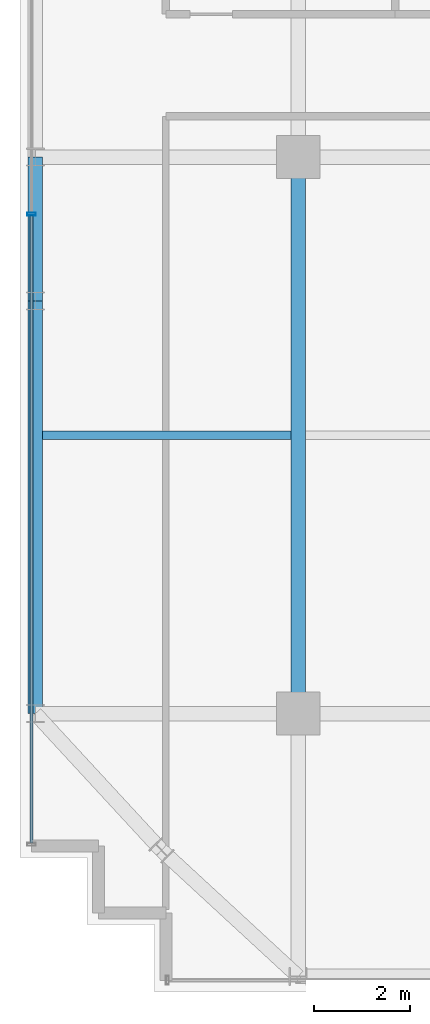
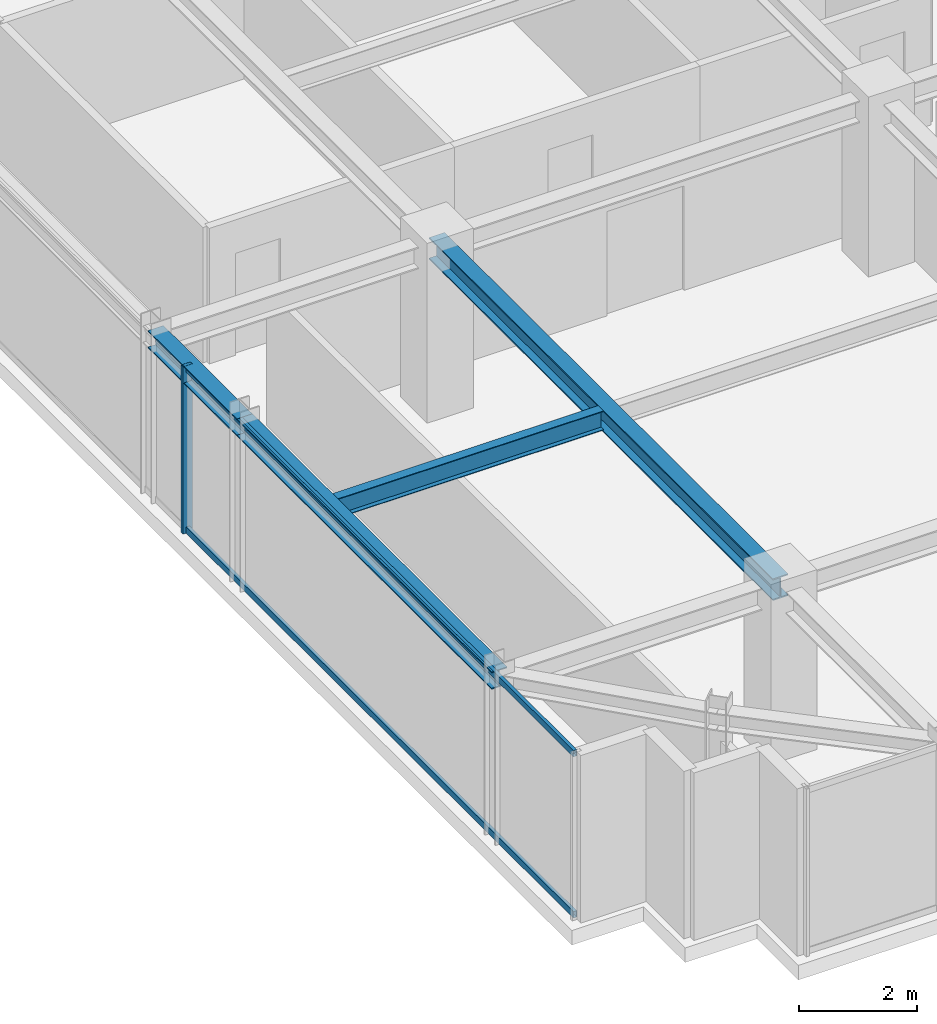
# One storey, part 6 of 31: 4 beams, 3 members, 1 element without a shape of its own.
"""IFC4 building model written with IfcOpenShell, lengths in metres."""

from ifc_helpers import new_model, si_unit, direction, frame, origin, origin_2d, place, context, subcontext, project, spatial, hollow_rectangle, i_section, extrude, source, transform, mapped, material, material_profile, profile_set, type_object, element, aggregate, save


model = new_model("IFC4")

# Units and contexts
model_context = context("Model", 3, precision=1e-05, world=origin(), true_north=direction((0.0, 1.0)))
body_context = subcontext(model_context, "Body", "Model", "MODEL_VIEW")
ifc_project = project(units=[si_unit("LENGTHUNIT", "METRE"), si_unit("AREAUNIT", "SQUARE_METRE"), si_unit("VOLUMEUNIT", "CUBIC_METRE"), si_unit("PLANEANGLEUNIT", "RADIAN"), si_unit("MASSUNIT", "GRAM", prefix="KILO")], contexts=[model_context])

# Site, building, storey
site_placement = place(None, origin())
site = spatial("IfcSite", under=ifc_project, at=site_placement, CompositionType="ELEMENT")
building_placement = place(site_placement, origin())
building = spatial("IfcBuilding", under=site, at=building_placement, Name="Nahalor Promenade Grand Hotel", CompositionType="ELEMENT")
storey_placement = place(building_placement, frame((0.0, 0.0, 281.300048828125)))
storey = spatial("IfcBuildingStorey", under=building, at=storey_placement, Name="L72", CompositionType="ELEMENT", Elevation=281.300048828125)

# Beams
ifc_material_1 = material(Name="Steel S355JR", Category="steel")
ifc_material_profile_1 = material_profile(ifc_material_1, i_section(OverallWidth=0.3, OverallDepth=0.45, WebThickness=0.014, FlangeThickness=0.026, at=origin_2d()), Name="HEB 450")
ifc_profile_set_1 = profile_set([ifc_material_profile_1], Name="Steel S355JR")
beam_type_1 = type_object("IfcBeamType", Name="Beam-Girder-HEB450", PredefinedType="BEAM", material=ifc_profile_set_1)
shared_shape_1 = source(origin(), body_context, "Body", "SweptSolid", [
    extrude(i_section(OverallWidth=0.3, OverallDepth=0.45, WebThickness=0.014, FlangeThickness=0.026, at=origin_2d()), origin(), (0.0, 0.0, 1.0), 11.60009765625),
])
beam_1_placement = place(storey_placement, frame((-17.0, -17.0, 3.224853515625), z_axis=(0.0, 1.0, 0.0), x_axis=(-1.0, 0.0, 0.0)))
element("IfcBeam", 1, at=beam_1_placement, inside=storey, type_object=beam_type_1, Name="BM-L72-GY-0-1", PredefinedType="BEAM", context=body_context, shape_type="MappedRepresentation", body=[
    mapped(shared_shape_1, transform((0.0, 0.0, 0.0), scale=1.0)),
])
ifc_material_profile_2 = material_profile(ifc_material_1, i_section(OverallWidth=0.18, OverallDepth=0.4, WebThickness=0.0086, FlangeThickness=0.0135, at=origin_2d()), Name="IPE 400")
ifc_profile_set_2 = profile_set([ifc_material_profile_2], Name="Steel S355JR")
beam_type_2 = type_object("IfcBeamType", Name="Beam-Joist-IPE400", PredefinedType="JOIST", material=ifc_profile_set_2)
shared_shape_2 = source(origin(), body_context, "Body", "SweptSolid", [
    extrude(i_section(OverallWidth=0.18, OverallDepth=0.4, WebThickness=0.0086, FlangeThickness=0.0135, at=origin_2d()), origin(), (0.0, 0.0, 1.0), 5.18017578125),
])
beam_2_placement = place(storey_placement, frame((-22.330078125, -11.199951171875, 3.25), z_axis=(1.0, 0.0, 0.0), x_axis=(0.0, 1.0, 0.0)))
element("IfcBeam", 2, at=beam_2_placement, inside=storey, type_object=beam_type_2, Name="BM-L72-JSW-0-0", PredefinedType="JOIST", context=body_context, shape_type="MappedRepresentation", body=[
    mapped(shared_shape_2, transform((0.0, 0.0, 0.0), scale=1.0)),
])
ifc_material_profile_3 = material_profile(ifc_material_1, i_section(OverallWidth=0.3, OverallDepth=0.36, WebThickness=0.0125, FlangeThickness=0.0225, at=origin_2d()), Name="HEB 360")
ifc_profile_set_3 = profile_set([ifc_material_profile_3], Name="Steel S355JR")
beam_type_3 = type_object("IfcBeamType", Name="Beam-Spandrel-HEB360", PredefinedType="SPANDREL", material=ifc_profile_set_3)
shared_shape_3 = source(origin(), body_context, "Body", "SweptSolid", [
    extrude(i_section(OverallWidth=0.3, OverallDepth=0.36, WebThickness=0.0125, FlangeThickness=0.0225, at=origin_2d()), origin(), (0.0, 0.0, 1.0), 8.60009765625),
])
beam_3_placement = place(storey_placement, frame((-22.47998046875, -17.0, 3.27001953125), z_axis=(0.0, 1.0, 0.0), x_axis=(-1.0, 0.0, 0.0)))
element("IfcBeam", 3, at=beam_3_placement, inside=storey, type_object=beam_type_3, Name="BM-L72-SP-W-0", PredefinedType="SPANDREL", context=body_context, shape_type="MappedRepresentation", body=[
    mapped(shared_shape_3, transform((0.0, 0.0, 0.0), scale=1.0)),
])
shared_shape_4 = source(origin(), body_context, "Body", "SweptSolid", [
    extrude(i_section(OverallWidth=0.3, OverallDepth=0.36, WebThickness=0.0125, FlangeThickness=0.0225, at=origin_2d()), origin(), (0.0, 0.0, 1.0), 3.0),
])
beam_4_placement = place(storey_placement, frame((-22.47998046875, -8.39990234375, 3.27001953125), z_axis=(0.0, 1.0, 0.0), x_axis=(-1.0, 0.0, 0.0)))
element("IfcBeam", 4, at=beam_4_placement, inside=storey, type_object=beam_type_3, Name="BM-L72-SP-W-1", PredefinedType="SPANDREL", context=body_context, shape_type="MappedRepresentation", body=[
    mapped(shared_shape_4, transform((0.0, 0.0, 0.0), scale=1.0)),
])

# Curtain wall, members
ifc_material_2 = material(Name="Anodised Bronze Aluminium EN AW-6063 T6", Category="aluminium")
curtain_wall_type = type_object("IfcCurtainWallType", Name="CW2 Typical Hotel Flush Bronze Unitised Curtain Wall", PredefinedType="USERDEFINED", material=ifc_material_2)
curtain_wall_placement = place(storey_placement, origin())
curtain_wall = element("IfcCurtainWall", 5, at=curtain_wall_placement, inside=storey, type_object=curtain_wall_type, Name="L72 Curtain Wall CW-L72-W-1", ObjectType="UNITISED_CURTAIN_WALL", PredefinedType="USERDEFINED")
ifc_material_profile_4 = material_profile(ifc_material_2, hollow_rectangle(XDim=0.065, YDim=0.13, WallThickness=0.004, at=origin_2d()), Name="CWT 65x130x4")
ifc_profile_set_4 = profile_set([ifc_material_profile_4], Name="Anodised Bronze Aluminium EN AW-6063 T6")
member_type_1 = type_object("IfcMemberType", Name="CWT2 Typical Bronze Transom 65x130", PredefinedType="USERDEFINED", material=ifc_profile_set_4)
shared_shape_5 = source(origin(), body_context, "Body", "SweptSolid", [
    extrude(hollow_rectangle(XDim=0.065, YDim=0.13, WallThickness=0.004, at=origin_2d()), origin(), (0.0, 0.0, 1.0), 13.075927734375),
])
member_1_placement = place(storey_placement, frame((-22.56005859375, -19.695068359375, 0.06494140625), z_axis=(0.0, 1.0, 0.0), x_axis=(-1.0, 0.0, 0.0)))
member_1 = element("IfcMember", 6, at=member_1_placement, type_object=member_type_1, Name="CW-L72-W-1 Transom 0-0", ObjectType="TRANSOM", PredefinedType="USERDEFINED", context=body_context, shape_type="MappedRepresentation", body=[
    mapped(shared_shape_5, transform((0.0, 0.0, 0.0), scale=1.0)),
])
member_2_placement = place(storey_placement, frame((-22.56005859375, -19.695068359375, 3.385009765625), z_axis=(0.0, 1.0, 0.0), x_axis=(-1.0, 0.0, 0.0)))
member_2 = element("IfcMember", 7, at=member_2_placement, type_object=member_type_1, Name="CW-L72-W-1 Transom 0-1", ObjectType="TRANSOM", PredefinedType="USERDEFINED", context=body_context, shape_type="MappedRepresentation", body=[
    mapped(shared_shape_5, transform((0.0, 0.0, 0.0), scale=1.0)),
])
ifc_material_profile_5 = material_profile(ifc_material_2, hollow_rectangle(XDim=0.065, YDim=0.18, WallThickness=0.004, at=origin_2d()), Name="CWM 65x180x4")
ifc_profile_set_5 = profile_set([ifc_material_profile_5], Name="Anodised Bronze Aluminium EN AW-6063 T6")
member_type_2 = type_object("IfcMemberType", Name="CWM2 Typical Bronze Mullion 65x180", PredefinedType="MULLION", material=ifc_profile_set_5)
shared_shape_6 = source(origin(), body_context, "Body", "SweptSolid", [
    extrude(hollow_rectangle(XDim=0.065, YDim=0.18, WallThickness=0.004, at=origin_2d()), origin(), (0.0, 0.0, 1.0), 3.449951171875),
])
member_3_placement = place(storey_placement, frame((-22.56005859375, -6.586669921875, 0.0), z_axis=(0.0, 0.0, 1.0), x_axis=(0.0, 1.0, 0.0)))
member_3 = element("IfcMember", 8, at=member_3_placement, type_object=member_type_2, Name="CW-L72-W-1 Mullion 1", PredefinedType="MULLION", context=body_context, shape_type="MappedRepresentation", body=[
    mapped(shared_shape_6, transform((0.0, 0.0, 0.0), scale=1.0)),
])
aggregate(curtain_wall, [member_3, member_1, member_2])

save(model, "model.ifc")
